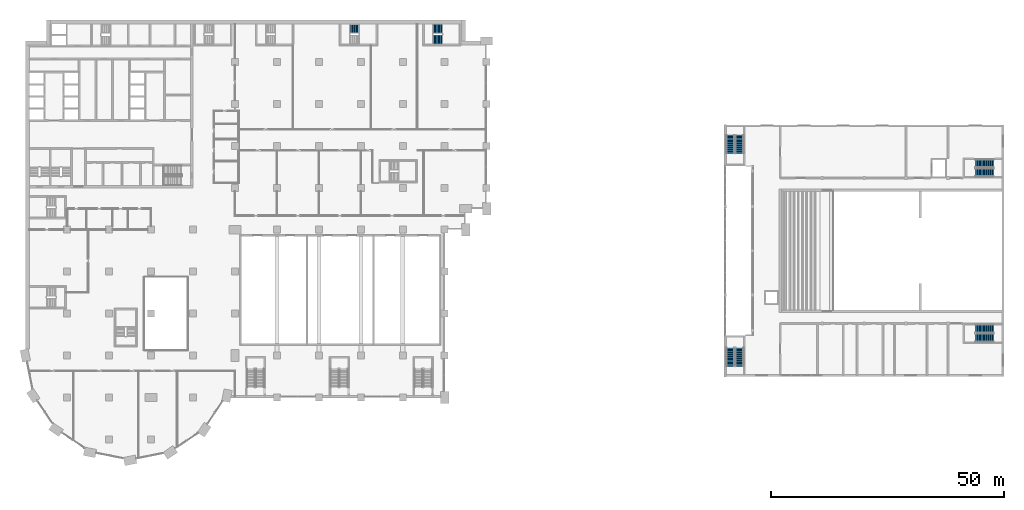
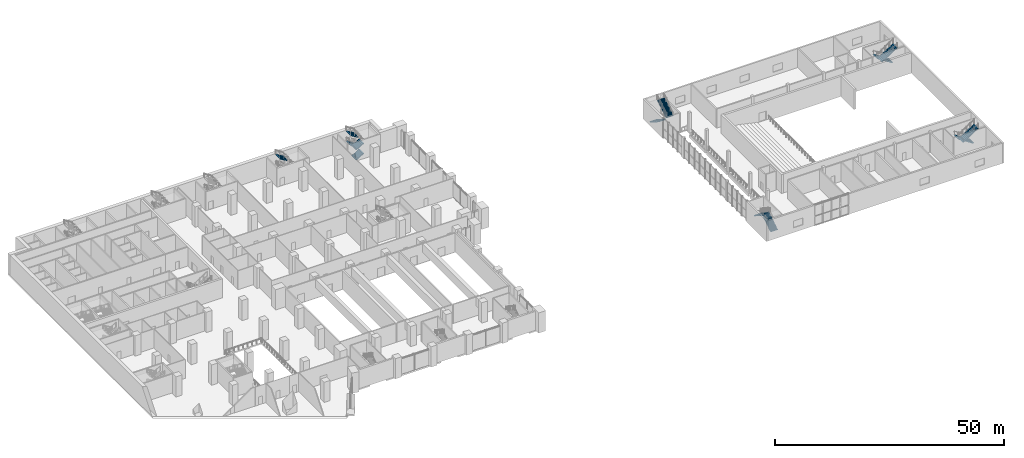
# One storey, part 29 of 43: 13 stair flights, 6 elements without a shape of their own.
"""IFC4 building model written with IfcOpenShell, lengths in metres."""

import ifcopenshell
import ifcopenshell.guid

model = None  # the IFC model being written
_history = None  # IfcOwnerHistory: only IFC2X3 demands one
_inside = {}  # id of a spatial element -> (the spatial element, [elements in it])
_under = {}  # id of a project, library or spatial element -> (it, [spatial elements below it])
_declared = {}  # id of a project -> (the project, [libraries it declares])
_typed = {}  # id of a type object -> (the type object, [elements of that type])
_made_of = {}  # id of a material, layer set ... -> (it, [elements and type objects made of it])


def new_model(schema):
    """Start an empty IFC model of exactly this schema.

    Asked for "IFC4X3", IfcOpenShell would pick the latest addendum, in which some entities
    have other attributes; the version numbers below select the first issue.
    IFC2X3 requires an IfcOwnerHistory on every rooted entity: one is made here for all.
    """
    global model, _history
    if schema == "IFC4X3":
        model = ifcopenshell.file(schema_version=(4, 3, 0, 0))
    else:
        model = ifcopenshell.file(schema=schema)
    _inside.clear()
    _under.clear()
    _declared.clear()
    _typed.clear()
    _made_of.clear()
    _history = None
    if model.schema == "IFC2X3":
        org = make("IfcOrganization", Name="unknown")
        user = make(
            "IfcPersonAndOrganization",
            ThePerson=make("IfcPerson", FamilyName="unknown"),
            TheOrganization=org,
        )
        app = make(
            "IfcApplication",
            ApplicationDeveloper=org,
            Version="unknown",
            ApplicationFullName="unknown",
            ApplicationIdentifier="unknown",
        )
        _history = make(
            "IfcOwnerHistory",
            OwningUser=user,
            OwningApplication=app,
            ChangeAction="ADDED",
            CreationDate=0,
        )
    return model


def make(cls, **values):
    """One entity of the class cls with the attributes given. An attribute that is None is left unset."""
    return model.create_entity(
        cls, **{name: value for name, value in values.items() if value is not None}
    )


def rooted(cls, **values):
    """An entity with a GlobalId (a new one), such as an element, a storey or a relation."""
    return make(cls, GlobalId=ifcopenshell.guid.new(), OwnerHistory=_history, **values)


def si_unit(unit_type, name, prefix=None):
    """IfcSIUnit, for example si_unit("LENGTHUNIT", "METRE", prefix="MILLI")."""
    return make("IfcSIUnit", UnitType=unit_type, Prefix=prefix, Name=name)


def assignment(units):
    """IfcUnitAssignment: the units of a project."""
    return None if units is None else make("IfcUnitAssignment", Units=units)


def point(xyz):
    """IfcCartesianPoint."""
    return None if xyz is None else make("IfcCartesianPoint", Coordinates=xyz)


def direction(xyz):
    """IfcDirection."""
    return None if xyz is None else make("IfcDirection", DirectionRatios=xyz)


def frame(location, z_axis=None, x_axis=None):
    """IfcAxis2Placement3D, a coordinate frame: its origin and axes. An axis left out is left unset."""
    return make(
        "IfcAxis2Placement3D",
        Location=point(location),
        Axis=direction(z_axis),
        RefDirection=direction(x_axis),
    )


def origin():
    """The frame at (0, 0, 0) with its axes left unset."""
    return frame((0.0, 0.0, 0.0))


def place(relative_to, where):
    """IfcLocalPlacement: puts the frame where relative to a parent placement (None: the world)."""
    return make(
        "IfcLocalPlacement", PlacementRelTo=relative_to, RelativePlacement=where
    )


def context(
    kind, dimensions, precision=None, world=None, true_north=None, identifier=None
):
    """IfcGeometricRepresentationContext, for example the 3D "Model" context."""
    return make(
        "IfcGeometricRepresentationContext",
        ContextIdentifier=identifier,
        ContextType=kind,
        CoordinateSpaceDimension=dimensions,
        Precision=precision,
        WorldCoordinateSystem=world,
        TrueNorth=true_north,
    )


def subcontext(parent, identifier, kind, view, scale=None):
    """IfcGeometricRepresentationSubContext, for example "Body" below "Model"."""
    return make(
        "IfcGeometricRepresentationSubContext",
        ContextIdentifier=identifier,
        ContextType=kind,
        ParentContext=parent,
        TargetScale=scale,
        TargetView=view,
    )


def project(units=None, contexts=None):
    """IfcProject with its units and contexts."""
    return rooted(
        "IfcProject",
        Name="project",
        RepresentationContexts=contexts,
        UnitsInContext=assignment(units),
    )


def spatial(cls, under=None, at=None, **own):
    """A site, building, storey or space (cls), placed at a placement, below another one or the project."""
    s = rooted(cls, ObjectPlacement=at, **own)
    if under is not None:
        _under.setdefault(under.id(), (under, []))[1].append(s)
    return s


def polyline(points):
    """IfcPolyline through the points."""
    return make("IfcPolyline", Points=[point(p) for p in points])


def outline(outer, holes=None, kind="AREA"):
    """IfcArbitraryClosedProfileDef: a profile drawn as a closed curve; with holes, ...WithVoids."""
    if holes is None:
        return make("IfcArbitraryClosedProfileDef", ProfileType=kind, OuterCurve=outer)
    return make(
        "IfcArbitraryProfileDefWithVoids",
        ProfileType=kind,
        OuterCurve=outer,
        InnerCurves=holes,
    )


def extrude(swept, where, along, depth):
    """IfcExtrudedAreaSolid: the profile swept, set in the frame where, extruded along a direction by depth."""
    return make(
        "IfcExtrudedAreaSolid",
        SweptArea=swept,
        Position=where,
        ExtrudedDirection=direction(along),
        Depth=depth,
    )


def shape(context_of_items, identifier, shape_type, items):
    """IfcShapeRepresentation: the items that make up one representation, for example the "Body"."""
    return make(
        "IfcShapeRepresentation",
        ContextOfItems=context_of_items,
        RepresentationIdentifier=identifier,
        RepresentationType=shape_type,
        Items=items,
    )


def material(Name=None, Category=None):
    """IfcMaterial."""
    return make("IfcMaterial", Name=Name, Category=Category)


def made_of(thing, what):
    """Note that an element or type object is made of a material, layer set ...; save() writes the relation."""
    if what is not None:
        _made_of.setdefault(what.id(), (what, []))[1].append(thing)
    return thing


def type_object(cls, material=None, **own):
    """A type object (cls), such as IfcWallType, which elements share."""
    return made_of(rooted(cls, **own), material)


def element(
    cls,
    number,
    at=None,
    inside=None,
    cuts=None,
    type_object=None,
    material=None,
    context=None,
    identifier="Body",
    shape_type=None,
    held_by="IfcProductDefinitionShape",
    body=None,
    shapes=None,
    **own,
):
    """One element of the class cls, such as IfcWall. Its Tag is "e" and its number.

    at: its placement. inside: the storey or other place that contains it. cuts: it is an
    opening in that element (IfcRelVoidsElement). A single representation is given by context,
    identifier, shape_type and body (its items); several are given by shapes. held_by: the class
    of the entity that holds the representations. save() writes the other relations.
    """
    e = rooted(cls, Tag="e%d" % number, ObjectPlacement=at, **own)
    if body is not None:
        shapes = [shape(context, identifier, shape_type, body)]
    if shapes is not None:
        e.Representation = make(held_by, Representations=shapes)
    if inside is not None:
        _inside.setdefault(inside.id(), (inside, []))[1].append(e)
    if cuts is not None:
        rooted(
            "IfcRelVoidsElement", RelatingBuildingElement=cuts, RelatedOpeningElement=e
        )
    if type_object is not None:
        _typed.setdefault(type_object.id(), (type_object, []))[1].append(e)
    return made_of(e, material)


def aggregate(whole, parts):
    """IfcRelAggregates: a whole, such as a stair, and the parts it consists of."""
    return rooted("IfcRelAggregates", RelatingObject=whole, RelatedObjects=parts)


def save(model, path):
    """Write the relations noted so far, then the file.

    IfcRelAggregates (storeys below a building ...), IfcRelContainedInSpatialStructure (elements
    in a storey), IfcRelDefinesByType, IfcRelAssociatesMaterial and IfcRelDeclares: one each for
    every whole, place, type object, material and project.
    """
    for whole, parts in _under.values():
        aggregate(whole, parts)
    for where, things in _inside.values():
        rooted(
            "IfcRelContainedInSpatialStructure",
            RelatedElements=things,
            RelatingStructure=where,
        )
    for kind, things in _typed.values():
        rooted("IfcRelDefinesByType", RelatedObjects=things, RelatingType=kind)
    for what, things in _made_of.values():
        rooted("IfcRelAssociatesMaterial", RelatedObjects=things, RelatingMaterial=what)
    for by, libraries in _declared.values():
        rooted("IfcRelDeclares", RelatingContext=by, RelatedDefinitions=libraries)
    model.write(path)


model = new_model("IFC4")

# Units and contexts
model_context = context("Model", 3, precision=1e-05, world=origin(), true_north=direction((0.0, 1.0)))
body_context = subcontext(model_context, "Body", "Model", "MODEL_VIEW")
ifc_project = project(units=[si_unit("LENGTHUNIT", "METRE"), si_unit("AREAUNIT", "SQUARE_METRE"), si_unit("VOLUMEUNIT", "CUBIC_METRE"), si_unit("PLANEANGLEUNIT", "RADIAN"), si_unit("MASSUNIT", "GRAM", prefix="KILO")], contexts=[model_context])

# Site, building, storey
site_placement = place(None, origin())
site = spatial("IfcSite", under=ifc_project, at=site_placement, CompositionType="ELEMENT")
building_placement = place(site_placement, origin())
building = spatial("IfcBuilding", under=site, at=building_placement, Name="Hunhe Ridgeline Campus", CompositionType="ELEMENT")
storey_placement = place(building_placement, frame((0.0, 0.0, 11.39990234375)))
storey = spatial("IfcBuildingStorey", under=building, at=storey_placement, Name="L02", CompositionType="ELEMENT", Elevation=11.39990234375)

# Stair, stair flights
ifc_material = material(Name="Concrete C40", Category="concrete")
stair_type_1 = type_object("IfcStairType", Name="Hall exit stair 1800", PredefinedType="HALF_TURN_STAIR", material=ifc_material)
stair_1_placement = place(storey_placement, origin())
stair_1 = element("IfcStair", 1, at=stair_1_placement, inside=storey, type_object=stair_type_1, Name="L02 hall stair HS1", PredefinedType="HALF_TURN_STAIR")
stair_flight_type_1 = type_object("IfcStairFlightType", Name="Hall stair flight 1800", PredefinedType="STRAIGHT", material=ifc_material)
stair_flight_1_placement = place(storey_placement, frame((153.25, 24.699951171875, 0.0), z_axis=(0.0, 0.0, 1.0), x_axis=(0.0, 1.0, 0.0)))
stair_flight_1 = element("IfcStairFlight", 2, at=stair_flight_1_placement, type_object=stair_flight_type_1, Name="HS1 flight 1", NumberOfRisers=15, NumberOfTreads=14, PredefinedType="STRAIGHT", RiserHeight=0.18, TreadLength=0.28, context=body_context, shape_type="SweptSolid", body=[
    extrude(outline(polyline([(0.0, 0.0), (0.0, 0.179931640625), (0.280029296875, 0.179931640625), (0.280029296875, 0.360107421875), (0.56005859375, 0.360107421875), (0.56005859375, 0.5400390625), (0.840087890625, 0.5400390625), (0.840087890625, 0.719970703125), (1.1201171875, 0.719970703125), (1.1201171875, 0.89990234375), (1.39990234375, 0.89990234375), (1.39990234375, 1.080078125), (1.679931640625, 1.080078125), (1.679931640625, 1.260009765625), (1.9599609375, 1.260009765625), (1.9599609375, 1.43994140625), (2.239990234375, 1.43994140625), (2.239990234375, 1.6201171875), (2.52001953125, 1.6201171875), (2.52001953125, 1.800048828125), (2.800048828125, 1.800048828125), (2.800048828125, 1.97998046875), (3.080078125, 1.97998046875), (3.080078125, 2.159912109375), (3.360107421875, 2.159912109375), (3.360107421875, 2.340087890625), (3.639892578125, 2.340087890625), (3.639892578125, 2.52001953125), (3.919921875, 2.52001953125), (3.919921875, 2.699951171875), (3.919921875, 2.341796875), (0.277099609375, 0.0), (0.0, 0.0)])), frame((0.0, 0.89990234375, 0.0), z_axis=(0.0, -1.0, 0.0), x_axis=(1.0, 0.0, 0.0)), (0.0, 0.0, 1.0), 1.800048828125),
])
stair_flight_2_placement = place(storey_placement, frame((151.300048828125, 28.6201171875, 2.7001953125), z_axis=(0.0, 0.0, 1.0), x_axis=(0.0, -1.0, 0.0)))
stair_flight_2 = element("IfcStairFlight", 3, at=stair_flight_2_placement, type_object=stair_flight_type_1, Name="HS1 flight 2", NumberOfRisers=15, NumberOfTreads=14, PredefinedType="STRAIGHT", RiserHeight=0.18, TreadLength=0.28, context=body_context, shape_type="SweptSolid", body=[
    extrude(outline(polyline([(0.0, 0.0), (0.0, 0.179931640625), (0.280029296875, 0.179931640625), (0.280029296875, 0.360107421875), (0.56005859375, 0.360107421875), (0.56005859375, 0.5400390625), (0.840087890625, 0.5400390625), (0.840087890625, 0.719970703125), (1.1201171875, 0.719970703125), (1.1201171875, 0.89990234375), (1.39990234375, 0.89990234375), (1.39990234375, 1.080078125), (1.679931640625, 1.080078125), (1.679931640625, 1.260009765625), (1.9599609375, 1.260009765625), (1.9599609375, 1.43994140625), (2.239990234375, 1.43994140625), (2.239990234375, 1.6201171875), (2.52001953125, 1.6201171875), (2.52001953125, 1.800048828125), (2.800048828125, 1.800048828125), (2.800048828125, 1.97998046875), (3.080078125, 1.97998046875), (3.080078125, 2.159912109375), (3.360107421875, 2.159912109375), (3.360107421875, 2.340087890625), (3.639892578125, 2.340087890625), (3.639892578125, 2.52001953125), (3.919921875, 2.52001953125), (3.919921875, 2.699951171875), (3.919921875, 2.341796875), (0.277099609375, 0.0), (0.0, 0.0)])), frame((0.0, 0.89990234375, 0.0), z_axis=(0.0, -1.0, 0.0), x_axis=(1.0, 0.0, 0.0)), (0.0, 0.0, 1.0), 1.800048828125),
])
aggregate(stair_1, [stair_flight_1, stair_flight_2])

stair_2_placement = place(storey_placement, origin())
stair_2 = element("IfcStair", 4, at=stair_2_placement, inside=storey, type_object=stair_type_1, Name="L02 hall stair HS2", PredefinedType="HALF_TURN_STAIR")
stair_flight_3_placement = place(storey_placement, frame((151.300048828125, 74.300048828125, 0.0), z_axis=(0.0, 0.0, 1.0), x_axis=(0.0, -1.0, 0.0)))
stair_flight_3 = element("IfcStairFlight", 5, at=stair_flight_3_placement, type_object=stair_flight_type_1, Name="HS2 flight 1", NumberOfRisers=15, NumberOfTreads=14, PredefinedType="STRAIGHT", RiserHeight=0.18, TreadLength=0.28, context=body_context, shape_type="SweptSolid", body=[
    extrude(outline(polyline([(0.0, 0.0), (0.0, 0.179931640625), (0.280029296875, 0.179931640625), (0.280029296875, 0.360107421875), (0.56005859375, 0.360107421875), (0.56005859375, 0.5400390625), (0.840087890625, 0.5400390625), (0.840087890625, 0.719970703125), (1.1201171875, 0.719970703125), (1.1201171875, 0.89990234375), (1.39990234375, 0.89990234375), (1.39990234375, 1.080078125), (1.679931640625, 1.080078125), (1.679931640625, 1.260009765625), (1.9599609375, 1.260009765625), (1.9599609375, 1.43994140625), (2.239990234375, 1.43994140625), (2.239990234375, 1.6201171875), (2.52001953125, 1.6201171875), (2.52001953125, 1.800048828125), (2.800048828125, 1.800048828125), (2.800048828125, 1.97998046875), (3.080078125, 1.97998046875), (3.080078125, 2.159912109375), (3.360107421875, 2.159912109375), (3.360107421875, 2.340087890625), (3.639892578125, 2.340087890625), (3.639892578125, 2.52001953125), (3.919921875, 2.52001953125), (3.919921875, 2.699951171875), (3.919921875, 2.341796875), (0.277099609375, 0.0), (0.0, 0.0)])), frame((0.0, 0.89990234375, 0.0), z_axis=(0.0, -1.0, 0.0), x_axis=(1.0, 0.0, 0.0)), (0.0, 0.0, 1.0), 1.800048828125),
])
stair_flight_4_placement = place(storey_placement, frame((153.25, 70.3798828125, 2.7001953125), z_axis=(0.0, 0.0, 1.0), x_axis=(0.0, 1.0, 0.0)))
stair_flight_4 = element("IfcStairFlight", 6, at=stair_flight_4_placement, type_object=stair_flight_type_1, Name="HS2 flight 2", NumberOfRisers=15, NumberOfTreads=14, PredefinedType="STRAIGHT", RiserHeight=0.18, TreadLength=0.28, context=body_context, shape_type="SweptSolid", body=[
    extrude(outline(polyline([(0.0, 0.0), (0.0, 0.179931640625), (0.280029296875, 0.179931640625), (0.280029296875, 0.360107421875), (0.56005859375, 0.360107421875), (0.56005859375, 0.5400390625), (0.840087890625, 0.5400390625), (0.840087890625, 0.719970703125), (1.1201171875, 0.719970703125), (1.1201171875, 0.89990234375), (1.39990234375, 0.89990234375), (1.39990234375, 1.080078125), (1.679931640625, 1.080078125), (1.679931640625, 1.260009765625), (1.9599609375, 1.260009765625), (1.9599609375, 1.43994140625), (2.239990234375, 1.43994140625), (2.239990234375, 1.6201171875), (2.52001953125, 1.6201171875), (2.52001953125, 1.800048828125), (2.800048828125, 1.800048828125), (2.800048828125, 1.97998046875), (3.080078125, 1.97998046875), (3.080078125, 2.159912109375), (3.360107421875, 2.159912109375), (3.360107421875, 2.340087890625), (3.639892578125, 2.340087890625), (3.639892578125, 2.52001953125), (3.919921875, 2.52001953125), (3.919921875, 2.699951171875), (3.919921875, 2.341796875), (0.277099609375, 0.0), (0.0, 0.0)])), frame((0.0, 0.89990234375, 0.0), z_axis=(0.0, -1.0, 0.0), x_axis=(1.0, 0.0, 0.0)), (0.0, 0.0, 1.0), 1.800048828125),
])
aggregate(stair_2, [stair_flight_3, stair_flight_4])

stair_3_placement = place(storey_placement, origin())
stair_3 = element("IfcStair", 7, at=stair_3_placement, inside=storey, type_object=stair_type_1, Name="L02 hall stair HS3", PredefinedType="HALF_TURN_STAIR")
stair_flight_5_placement = place(storey_placement, frame((207.800048828125, 32.75, 0.0), z_axis=(0.0, 0.0, 1.0), x_axis=(-1.0, 0.0, 0.0)))
stair_flight_5 = element("IfcStairFlight", 8, at=stair_flight_5_placement, type_object=stair_flight_type_1, Name="HS3 flight 1", NumberOfRisers=15, NumberOfTreads=14, PredefinedType="STRAIGHT", RiserHeight=0.18, TreadLength=0.28, context=body_context, shape_type="SweptSolid", body=[
    extrude(outline(polyline([(0.0, 0.0), (0.0, 0.179931640625), (0.280029296875, 0.179931640625), (0.280029296875, 0.360107421875), (0.56005859375, 0.360107421875), (0.56005859375, 0.5400390625), (0.840087890625, 0.5400390625), (0.840087890625, 0.719970703125), (1.1201171875, 0.719970703125), (1.1201171875, 0.89990234375), (1.39990234375, 0.89990234375), (1.39990234375, 1.080078125), (1.679931640625, 1.080078125), (1.679931640625, 1.260009765625), (1.9599609375, 1.260009765625), (1.9599609375, 1.43994140625), (2.239990234375, 1.43994140625), (2.239990234375, 1.6201171875), (2.52001953125, 1.6201171875), (2.52001953125, 1.800048828125), (2.800048828125, 1.800048828125), (2.800048828125, 1.97998046875), (3.080078125, 1.97998046875), (3.080078125, 2.159912109375), (3.360107421875, 2.159912109375), (3.360107421875, 2.340087890625), (3.639892578125, 2.340087890625), (3.639892578125, 2.52001953125), (3.919921875, 2.52001953125), (3.919921875, 2.699951171875), (3.919921875, 2.341796875), (0.277099609375, 0.0), (0.0, 0.0)])), frame((0.0, 0.89990234375, 0.0), z_axis=(0.0, -1.0, 0.0), x_axis=(1.0, 0.0, 0.0)), (0.0, 0.0, 1.0), 1.800048828125),
])
stair_flight_6_placement = place(storey_placement, frame((203.8798828125, 30.800048828125, 2.7001953125), z_axis=(0.0, 0.0, 1.0), x_axis=(1.0, 0.0, 0.0)))
stair_flight_6 = element("IfcStairFlight", 9, at=stair_flight_6_placement, type_object=stair_flight_type_1, Name="HS3 flight 2", NumberOfRisers=15, NumberOfTreads=14, PredefinedType="STRAIGHT", RiserHeight=0.18, TreadLength=0.28, context=body_context, shape_type="SweptSolid", body=[
    extrude(outline(polyline([(0.0, 0.0), (0.0, 0.179931640625), (0.280029296875, 0.179931640625), (0.280029296875, 0.360107421875), (0.56005859375, 0.360107421875), (0.56005859375, 0.5400390625), (0.840087890625, 0.5400390625), (0.840087890625, 0.719970703125), (1.1201171875, 0.719970703125), (1.1201171875, 0.89990234375), (1.39990234375, 0.89990234375), (1.39990234375, 1.080078125), (1.679931640625, 1.080078125), (1.679931640625, 1.260009765625), (1.9599609375, 1.260009765625), (1.9599609375, 1.43994140625), (2.239990234375, 1.43994140625), (2.239990234375, 1.6201171875), (2.52001953125, 1.6201171875), (2.52001953125, 1.800048828125), (2.800048828125, 1.800048828125), (2.800048828125, 1.97998046875), (3.080078125, 1.97998046875), (3.080078125, 2.159912109375), (3.360107421875, 2.159912109375), (3.360107421875, 2.340087890625), (3.639892578125, 2.340087890625), (3.639892578125, 2.52001953125), (3.919921875, 2.52001953125), (3.919921875, 2.699951171875), (3.919921875, 2.341796875), (0.277099609375, 0.0), (0.0, 0.0)])), frame((0.0, 0.89990234375, 0.0), z_axis=(0.0, -1.0, 0.0), x_axis=(1.0, 0.0, 0.0)), (0.0, 0.0, 1.0), 1.800048828125),
])
aggregate(stair_3, [stair_flight_5, stair_flight_6])

stair_4_placement = place(storey_placement, origin())
stair_4 = element("IfcStair", 10, at=stair_4_placement, inside=storey, type_object=stair_type_1, Name="L02 hall stair HS4", PredefinedType="HALF_TURN_STAIR")
stair_flight_7_placement = place(storey_placement, frame((207.800048828125, 68.199951171875, 0.0), z_axis=(0.0, 0.0, 1.0), x_axis=(-1.0, 0.0, 0.0)))
stair_flight_7 = element("IfcStairFlight", 11, at=stair_flight_7_placement, type_object=stair_flight_type_1, Name="HS4 flight 1", NumberOfRisers=15, NumberOfTreads=14, PredefinedType="STRAIGHT", RiserHeight=0.18, TreadLength=0.28, context=body_context, shape_type="SweptSolid", body=[
    extrude(outline(polyline([(0.0, 0.0), (0.0, 0.179931640625), (0.280029296875, 0.179931640625), (0.280029296875, 0.360107421875), (0.56005859375, 0.360107421875), (0.56005859375, 0.5400390625), (0.840087890625, 0.5400390625), (0.840087890625, 0.719970703125), (1.1201171875, 0.719970703125), (1.1201171875, 0.89990234375), (1.39990234375, 0.89990234375), (1.39990234375, 1.080078125), (1.679931640625, 1.080078125), (1.679931640625, 1.260009765625), (1.9599609375, 1.260009765625), (1.9599609375, 1.43994140625), (2.239990234375, 1.43994140625), (2.239990234375, 1.6201171875), (2.52001953125, 1.6201171875), (2.52001953125, 1.800048828125), (2.800048828125, 1.800048828125), (2.800048828125, 1.97998046875), (3.080078125, 1.97998046875), (3.080078125, 2.159912109375), (3.360107421875, 2.159912109375), (3.360107421875, 2.340087890625), (3.639892578125, 2.340087890625), (3.639892578125, 2.52001953125), (3.919921875, 2.52001953125), (3.919921875, 2.699951171875), (3.919921875, 2.341796875), (0.277099609375, 0.0), (0.0, 0.0)])), frame((0.0, 0.89990234375, 0.0), z_axis=(0.0, -1.0, 0.0), x_axis=(1.0, 0.0, 0.0)), (0.0, 0.0, 1.0), 1.800048828125),
])
stair_flight_8_placement = place(storey_placement, frame((203.8798828125, 66.25, 2.7001953125), z_axis=(0.0, 0.0, 1.0), x_axis=(1.0, 0.0, 0.0)))
stair_flight_8 = element("IfcStairFlight", 12, at=stair_flight_8_placement, type_object=stair_flight_type_1, Name="HS4 flight 2", NumberOfRisers=15, NumberOfTreads=14, PredefinedType="STRAIGHT", RiserHeight=0.18, TreadLength=0.28, context=body_context, shape_type="SweptSolid", body=[
    extrude(outline(polyline([(0.0, 0.0), (0.0, 0.179931640625), (0.280029296875, 0.179931640625), (0.280029296875, 0.360107421875), (0.56005859375, 0.360107421875), (0.56005859375, 0.5400390625), (0.840087890625, 0.5400390625), (0.840087890625, 0.719970703125), (1.1201171875, 0.719970703125), (1.1201171875, 0.89990234375), (1.39990234375, 0.89990234375), (1.39990234375, 1.080078125), (1.679931640625, 1.080078125), (1.679931640625, 1.260009765625), (1.9599609375, 1.260009765625), (1.9599609375, 1.43994140625), (2.239990234375, 1.43994140625), (2.239990234375, 1.6201171875), (2.52001953125, 1.6201171875), (2.52001953125, 1.800048828125), (2.800048828125, 1.800048828125), (2.800048828125, 1.97998046875), (3.080078125, 1.97998046875), (3.080078125, 2.159912109375), (3.360107421875, 2.159912109375), (3.360107421875, 2.340087890625), (3.639892578125, 2.340087890625), (3.639892578125, 2.52001953125), (3.919921875, 2.52001953125), (3.919921875, 2.699951171875), (3.919921875, 2.341796875), (0.277099609375, 0.0), (0.0, 0.0)])), frame((0.0, 0.89990234375, 0.0), z_axis=(0.0, -1.0, 0.0), x_axis=(1.0, 0.0, 0.0)), (0.0, 0.0, 1.0), 1.800048828125),
])
aggregate(stair_4, [stair_flight_7, stair_flight_8])

# Stair, stair flight
stair_type_2 = type_object("IfcStairType", Name="Reinforced concrete dog-leg stair 1950 Concrete C40", PredefinedType="HALF_TURN_STAIR", material=ifc_material)
stair_5_placement = place(storey_placement, origin())
stair_5 = element("IfcStair", 13, at=stair_5_placement, inside=storey, type_object=stair_type_2, Name="L02 E3", PredefinedType="HALF_TURN_STAIR")
stair_flight_type_2 = type_object("IfcStairFlightType", Name="Reinforced concrete stair flight 1950 Concrete C40", PredefinedType="STRAIGHT", material=ifc_material)
stair_flight_9_placement = place(storey_placement, frame((71.610107421875, 97.125, 4.050048828125), z_axis=(0.0, 0.0, 1.0), x_axis=(-1.0, 0.0, 0.0)))
stair_flight_9 = element("IfcStairFlight", 14, at=stair_flight_9_placement, type_object=stair_flight_type_2, Name="ST7 flight 4", NumberOfRisers=8, NumberOfTreads=7, PredefinedType="STRAIGHT", RiserHeight=0.16875, TreadLength=0.28, context=body_context, shape_type="SweptSolid", body=[
    extrude(outline(polyline([(0.0, 0.0), (0.0, 0.168701171875), (0.280029296875, 0.168701171875), (0.280029296875, 0.33740234375), (0.56005859375, 0.33740234375), (0.56005859375, 0.50634765625), (0.840087890625, 0.50634765625), (0.840087890625, 0.675048828125), (1.1201171875, 0.675048828125), (1.1201171875, 0.84375), (1.39990234375, 0.84375), (1.39990234375, 1.012451171875), (1.679931640625, 1.012451171875), (1.679931640625, 1.18115234375), (1.9599609375, 1.18115234375), (1.9599609375, 1.35009765625), (1.9599609375, 1.00634765625), (0.29052734375, 0.0), (0.0, 0.0)])), frame((0.0, 0.97509765625, 0.0), z_axis=(0.0, -1.0, 0.0), x_axis=(1.0, 0.0, 0.0)), (0.0, 0.0, 1.0), 1.949951171875),
    extrude(outline(polyline([(0.030029296875, 0.030029296875), (0.030029296875, 0.138916015625), (0.31005859375, 0.138916015625), (0.31005859375, 0.3076171875), (0.590087890625, 0.3076171875), (0.590087890625, 0.476318359375), (0.8701171875, 0.476318359375), (0.8701171875, 0.64501953125), (1.14990234375, 0.64501953125), (1.14990234375, 0.813720703125), (1.429931640625, 0.813720703125), (1.429931640625, 0.982421875), (1.7099609375, 0.982421875), (1.7099609375, 1.1513671875), (1.929931640625, 1.1513671875), (1.929931640625, 1.023193359375), (0.281982421875, 0.030029296875), (0.030029296875, 0.030029296875)])), frame((0.0, -0.070068359375, 0.0), z_axis=(0.0, -1.0, 0.0), x_axis=(1.0, 0.0, 0.0)), (0.0, 0.0, 1.0), 0.019775390625),
    extrude(outline(polyline([(0.030029296875, 0.030029296875), (0.030029296875, 0.138916015625), (0.31005859375, 0.138916015625), (0.31005859375, 0.3076171875), (0.590087890625, 0.3076171875), (0.590087890625, 0.476318359375), (0.8701171875, 0.476318359375), (0.8701171875, 0.64501953125), (1.14990234375, 0.64501953125), (1.14990234375, 0.813720703125), (1.429931640625, 0.813720703125), (1.429931640625, 0.982421875), (1.7099609375, 0.982421875), (1.7099609375, 1.1513671875), (1.929931640625, 1.1513671875), (1.929931640625, 1.023193359375), (0.281982421875, 0.030029296875), (0.030029296875, 0.030029296875)])), frame((0.0, 0.010009765625, 0.0), z_axis=(0.0, -1.0, 0.0), x_axis=(1.0, 0.0, 0.0)), (0.0, 0.0, 1.0), 0.019775390625),
    extrude(outline(polyline([(0.030029296875, 0.030029296875), (0.030029296875, 0.138916015625), (0.31005859375, 0.138916015625), (0.31005859375, 0.3076171875), (0.590087890625, 0.3076171875), (0.590087890625, 0.476318359375), (0.8701171875, 0.476318359375), (0.8701171875, 0.64501953125), (1.14990234375, 0.64501953125), (1.14990234375, 0.813720703125), (1.429931640625, 0.813720703125), (1.429931640625, 0.982421875), (1.7099609375, 0.982421875), (1.7099609375, 1.1513671875), (1.929931640625, 1.1513671875), (1.929931640625, 1.023193359375), (0.281982421875, 0.030029296875), (0.030029296875, 0.030029296875)])), frame((0.0, 0.090087890625, 0.0), z_axis=(0.0, -1.0, 0.0), x_axis=(1.0, 0.0, 0.0)), (0.0, 0.0, 1.0), 0.019775390625),
])
aggregate(stair_5, [stair_flight_9])

# Stair, stair flights
stair_6_placement = place(storey_placement, origin())
stair_6 = element("IfcStair", 15, at=stair_6_placement, inside=storey, type_object=stair_type_2, Name="L02 E4", PredefinedType="HALF_TURN_STAIR")
stair_flight_10_placement = place(storey_placement, frame((87.5, 94.77490234375, 0.0), z_axis=(0.0, 0.0, 1.0), x_axis=(1.0, 0.0, 0.0)))
stair_flight_10 = element("IfcStairFlight", 16, at=stair_flight_10_placement, type_object=stair_flight_type_2, Name="ST8 flight 1", NumberOfRisers=8, NumberOfTreads=7, PredefinedType="STRAIGHT", RiserHeight=0.16875, TreadLength=0.28, context=body_context, shape_type="SweptSolid", body=[
    extrude(outline(polyline([(0.0, 0.0), (0.0, 0.168701171875), (0.280029296875, 0.168701171875), (0.280029296875, 0.33740234375), (0.56005859375, 0.33740234375), (0.56005859375, 0.50634765625), (0.840087890625, 0.50634765625), (0.840087890625, 0.675048828125), (1.1201171875, 0.675048828125), (1.1201171875, 0.84375), (1.39990234375, 0.84375), (1.39990234375, 1.012451171875), (1.679931640625, 1.012451171875), (1.679931640625, 1.18115234375), (1.9599609375, 1.18115234375), (1.9599609375, 1.35009765625), (1.9599609375, 1.00634765625), (0.29052734375, 0.0), (0.0, 0.0)])), frame((0.0, 0.97509765625, 0.0), z_axis=(0.0, -1.0, 0.0), x_axis=(1.0, 0.0, 0.0)), (0.0, 0.0, 1.0), 1.949951171875),
    extrude(outline(polyline([(0.030029296875, 0.030029296875), (0.030029296875, 0.138916015625), (0.31005859375, 0.138916015625), (0.31005859375, 0.3076171875), (0.590087890625, 0.3076171875), (0.590087890625, 0.476318359375), (0.8701171875, 0.476318359375), (0.8701171875, 0.64501953125), (1.14990234375, 0.64501953125), (1.14990234375, 0.813720703125), (1.429931640625, 0.813720703125), (1.429931640625, 0.982421875), (1.7099609375, 0.982421875), (1.7099609375, 1.1513671875), (1.929931640625, 1.1513671875), (1.929931640625, 1.023193359375), (0.281982421875, 0.030029296875), (0.030029296875, 0.030029296875)])), frame((0.0, -0.070068359375, 0.0), z_axis=(0.0, -1.0, 0.0), x_axis=(1.0, 0.0, 0.0)), (0.0, 0.0, 1.0), 0.019775390625),
    extrude(outline(polyline([(0.030029296875, 0.030029296875), (0.030029296875, 0.138916015625), (0.31005859375, 0.138916015625), (0.31005859375, 0.3076171875), (0.590087890625, 0.3076171875), (0.590087890625, 0.476318359375), (0.8701171875, 0.476318359375), (0.8701171875, 0.64501953125), (1.14990234375, 0.64501953125), (1.14990234375, 0.813720703125), (1.429931640625, 0.813720703125), (1.429931640625, 0.982421875), (1.7099609375, 0.982421875), (1.7099609375, 1.1513671875), (1.929931640625, 1.1513671875), (1.929931640625, 1.023193359375), (0.281982421875, 0.030029296875), (0.030029296875, 0.030029296875)])), frame((0.0, 0.010009765625, 0.0), z_axis=(0.0, -1.0, 0.0), x_axis=(1.0, 0.0, 0.0)), (0.0, 0.0, 1.0), 0.019775390625),
    extrude(outline(polyline([(0.030029296875, 0.030029296875), (0.030029296875, 0.138916015625), (0.31005859375, 0.138916015625), (0.31005859375, 0.3076171875), (0.590087890625, 0.3076171875), (0.590087890625, 0.476318359375), (0.8701171875, 0.476318359375), (0.8701171875, 0.64501953125), (1.14990234375, 0.64501953125), (1.14990234375, 0.813720703125), (1.429931640625, 0.813720703125), (1.429931640625, 0.982421875), (1.7099609375, 0.982421875), (1.7099609375, 1.1513671875), (1.929931640625, 1.1513671875), (1.929931640625, 1.023193359375), (0.281982421875, 0.030029296875), (0.030029296875, 0.030029296875)])), frame((0.0, 0.090087890625, 0.0), z_axis=(0.0, -1.0, 0.0), x_axis=(1.0, 0.0, 0.0)), (0.0, 0.0, 1.0), 0.019775390625),
])
stair_flight_11_placement = place(storey_placement, frame((89.4599609375, 97.125, 1.35009765625), z_axis=(0.0, 0.0, 1.0), x_axis=(-1.0, 0.0, 0.0)))
stair_flight_11 = element("IfcStairFlight", 17, at=stair_flight_11_placement, type_object=stair_flight_type_2, Name="ST8 flight 2", NumberOfRisers=8, NumberOfTreads=7, PredefinedType="STRAIGHT", RiserHeight=0.16875, TreadLength=0.28, context=body_context, shape_type="SweptSolid", body=[
    extrude(outline(polyline([(0.0, 0.0), (0.0, 0.168701171875), (0.280029296875, 0.168701171875), (0.280029296875, 0.33740234375), (0.56005859375, 0.33740234375), (0.56005859375, 0.50634765625), (0.840087890625, 0.50634765625), (0.840087890625, 0.675048828125), (1.1201171875, 0.675048828125), (1.1201171875, 0.84375), (1.39990234375, 0.84375), (1.39990234375, 1.012451171875), (1.679931640625, 1.012451171875), (1.679931640625, 1.18115234375), (1.9599609375, 1.18115234375), (1.9599609375, 1.35009765625), (1.9599609375, 1.00634765625), (0.29052734375, 0.0), (0.0, 0.0)])), frame((0.0, 0.97509765625, 0.0), z_axis=(0.0, -1.0, 0.0), x_axis=(1.0, 0.0, 0.0)), (0.0, 0.0, 1.0), 1.949951171875),
    extrude(outline(polyline([(0.030029296875, 0.030029296875), (0.030029296875, 0.138916015625), (0.31005859375, 0.138916015625), (0.31005859375, 0.3076171875), (0.590087890625, 0.3076171875), (0.590087890625, 0.476318359375), (0.8701171875, 0.476318359375), (0.8701171875, 0.64501953125), (1.14990234375, 0.64501953125), (1.14990234375, 0.813720703125), (1.429931640625, 0.813720703125), (1.429931640625, 0.982421875), (1.7099609375, 0.982421875), (1.7099609375, 1.1513671875), (1.929931640625, 1.1513671875), (1.929931640625, 1.023193359375), (0.281982421875, 0.030029296875), (0.030029296875, 0.030029296875)])), frame((0.0, -0.070068359375, 0.0), z_axis=(0.0, -1.0, 0.0), x_axis=(1.0, 0.0, 0.0)), (0.0, 0.0, 1.0), 0.019775390625),
    extrude(outline(polyline([(0.030029296875, 0.030029296875), (0.030029296875, 0.138916015625), (0.31005859375, 0.138916015625), (0.31005859375, 0.3076171875), (0.590087890625, 0.3076171875), (0.590087890625, 0.476318359375), (0.8701171875, 0.476318359375), (0.8701171875, 0.64501953125), (1.14990234375, 0.64501953125), (1.14990234375, 0.813720703125), (1.429931640625, 0.813720703125), (1.429931640625, 0.982421875), (1.7099609375, 0.982421875), (1.7099609375, 1.1513671875), (1.929931640625, 1.1513671875), (1.929931640625, 1.023193359375), (0.281982421875, 0.030029296875), (0.030029296875, 0.030029296875)])), frame((0.0, 0.010009765625, 0.0), z_axis=(0.0, -1.0, 0.0), x_axis=(1.0, 0.0, 0.0)), (0.0, 0.0, 1.0), 0.019775390625),
    extrude(outline(polyline([(0.030029296875, 0.030029296875), (0.030029296875, 0.138916015625), (0.31005859375, 0.138916015625), (0.31005859375, 0.3076171875), (0.590087890625, 0.3076171875), (0.590087890625, 0.476318359375), (0.8701171875, 0.476318359375), (0.8701171875, 0.64501953125), (1.14990234375, 0.64501953125), (1.14990234375, 0.813720703125), (1.429931640625, 0.813720703125), (1.429931640625, 0.982421875), (1.7099609375, 0.982421875), (1.7099609375, 1.1513671875), (1.929931640625, 1.1513671875), (1.929931640625, 1.023193359375), (0.281982421875, 0.030029296875), (0.030029296875, 0.030029296875)])), frame((0.0, 0.090087890625, 0.0), z_axis=(0.0, -1.0, 0.0), x_axis=(1.0, 0.0, 0.0)), (0.0, 0.0, 1.0), 0.019775390625),
])
stair_flight_12_placement = place(storey_placement, frame((87.5, 94.77490234375, 2.7001953125), z_axis=(0.0, 0.0, 1.0), x_axis=(1.0, 0.0, 0.0)))
stair_flight_12 = element("IfcStairFlight", 18, at=stair_flight_12_placement, type_object=stair_flight_type_2, Name="ST8 flight 3", NumberOfRisers=8, NumberOfTreads=7, PredefinedType="STRAIGHT", RiserHeight=0.16875, TreadLength=0.28, context=body_context, shape_type="SweptSolid", body=[
    extrude(outline(polyline([(0.0, 0.0), (0.0, 0.168701171875), (0.280029296875, 0.168701171875), (0.280029296875, 0.33740234375), (0.56005859375, 0.33740234375), (0.56005859375, 0.50634765625), (0.840087890625, 0.50634765625), (0.840087890625, 0.675048828125), (1.1201171875, 0.675048828125), (1.1201171875, 0.84375), (1.39990234375, 0.84375), (1.39990234375, 1.012451171875), (1.679931640625, 1.012451171875), (1.679931640625, 1.18115234375), (1.9599609375, 1.18115234375), (1.9599609375, 1.35009765625), (1.9599609375, 1.00634765625), (0.29052734375, 0.0), (0.0, 0.0)])), frame((0.0, 0.97509765625, 0.0), z_axis=(0.0, -1.0, 0.0), x_axis=(1.0, 0.0, 0.0)), (0.0, 0.0, 1.0), 1.949951171875),
    extrude(outline(polyline([(0.030029296875, 0.030029296875), (0.030029296875, 0.138916015625), (0.31005859375, 0.138916015625), (0.31005859375, 0.3076171875), (0.590087890625, 0.3076171875), (0.590087890625, 0.476318359375), (0.8701171875, 0.476318359375), (0.8701171875, 0.64501953125), (1.14990234375, 0.64501953125), (1.14990234375, 0.813720703125), (1.429931640625, 0.813720703125), (1.429931640625, 0.982421875), (1.7099609375, 0.982421875), (1.7099609375, 1.1513671875), (1.929931640625, 1.1513671875), (1.929931640625, 1.023193359375), (0.281982421875, 0.030029296875), (0.030029296875, 0.030029296875)])), frame((0.0, -0.070068359375, 0.0), z_axis=(0.0, -1.0, 0.0), x_axis=(1.0, 0.0, 0.0)), (0.0, 0.0, 1.0), 0.019775390625),
    extrude(outline(polyline([(0.030029296875, 0.030029296875), (0.030029296875, 0.138916015625), (0.31005859375, 0.138916015625), (0.31005859375, 0.3076171875), (0.590087890625, 0.3076171875), (0.590087890625, 0.476318359375), (0.8701171875, 0.476318359375), (0.8701171875, 0.64501953125), (1.14990234375, 0.64501953125), (1.14990234375, 0.813720703125), (1.429931640625, 0.813720703125), (1.429931640625, 0.982421875), (1.7099609375, 0.982421875), (1.7099609375, 1.1513671875), (1.929931640625, 1.1513671875), (1.929931640625, 1.023193359375), (0.281982421875, 0.030029296875), (0.030029296875, 0.030029296875)])), frame((0.0, 0.010009765625, 0.0), z_axis=(0.0, -1.0, 0.0), x_axis=(1.0, 0.0, 0.0)), (0.0, 0.0, 1.0), 0.019775390625),
    extrude(outline(polyline([(0.030029296875, 0.030029296875), (0.030029296875, 0.138916015625), (0.31005859375, 0.138916015625), (0.31005859375, 0.3076171875), (0.590087890625, 0.3076171875), (0.590087890625, 0.476318359375), (0.8701171875, 0.476318359375), (0.8701171875, 0.64501953125), (1.14990234375, 0.64501953125), (1.14990234375, 0.813720703125), (1.429931640625, 0.813720703125), (1.429931640625, 0.982421875), (1.7099609375, 0.982421875), (1.7099609375, 1.1513671875), (1.929931640625, 1.1513671875), (1.929931640625, 1.023193359375), (0.281982421875, 0.030029296875), (0.030029296875, 0.030029296875)])), frame((0.0, 0.090087890625, 0.0), z_axis=(0.0, -1.0, 0.0), x_axis=(1.0, 0.0, 0.0)), (0.0, 0.0, 1.0), 0.019775390625),
])
stair_flight_13_placement = place(storey_placement, frame((89.4599609375, 97.125, 4.050048828125), z_axis=(0.0, 0.0, 1.0), x_axis=(-1.0, 0.0, 0.0)))
stair_flight_13 = element("IfcStairFlight", 19, at=stair_flight_13_placement, type_object=stair_flight_type_2, Name="ST8 flight 4", NumberOfRisers=8, NumberOfTreads=7, PredefinedType="STRAIGHT", RiserHeight=0.16875, TreadLength=0.28, context=body_context, shape_type="SweptSolid", body=[
    extrude(outline(polyline([(0.0, 0.0), (0.0, 0.168701171875), (0.280029296875, 0.168701171875), (0.280029296875, 0.33740234375), (0.56005859375, 0.33740234375), (0.56005859375, 0.50634765625), (0.840087890625, 0.50634765625), (0.840087890625, 0.675048828125), (1.1201171875, 0.675048828125), (1.1201171875, 0.84375), (1.39990234375, 0.84375), (1.39990234375, 1.012451171875), (1.679931640625, 1.012451171875), (1.679931640625, 1.18115234375), (1.9599609375, 1.18115234375), (1.9599609375, 1.35009765625), (1.9599609375, 1.00634765625), (0.29052734375, 0.0), (0.0, 0.0)])), frame((0.0, 0.97509765625, 0.0), z_axis=(0.0, -1.0, 0.0), x_axis=(1.0, 0.0, 0.0)), (0.0, 0.0, 1.0), 1.949951171875),
    extrude(outline(polyline([(0.030029296875, 0.030029296875), (0.030029296875, 0.138916015625), (0.31005859375, 0.138916015625), (0.31005859375, 0.3076171875), (0.590087890625, 0.3076171875), (0.590087890625, 0.476318359375), (0.8701171875, 0.476318359375), (0.8701171875, 0.64501953125), (1.14990234375, 0.64501953125), (1.14990234375, 0.813720703125), (1.429931640625, 0.813720703125), (1.429931640625, 0.982421875), (1.7099609375, 0.982421875), (1.7099609375, 1.1513671875), (1.929931640625, 1.1513671875), (1.929931640625, 1.023193359375), (0.281982421875, 0.030029296875), (0.030029296875, 0.030029296875)])), frame((0.0, -0.070068359375, 0.0), z_axis=(0.0, -1.0, 0.0), x_axis=(1.0, 0.0, 0.0)), (0.0, 0.0, 1.0), 0.019775390625),
    extrude(outline(polyline([(0.030029296875, 0.030029296875), (0.030029296875, 0.138916015625), (0.31005859375, 0.138916015625), (0.31005859375, 0.3076171875), (0.590087890625, 0.3076171875), (0.590087890625, 0.476318359375), (0.8701171875, 0.476318359375), (0.8701171875, 0.64501953125), (1.14990234375, 0.64501953125), (1.14990234375, 0.813720703125), (1.429931640625, 0.813720703125), (1.429931640625, 0.982421875), (1.7099609375, 0.982421875), (1.7099609375, 1.1513671875), (1.929931640625, 1.1513671875), (1.929931640625, 1.023193359375), (0.281982421875, 0.030029296875), (0.030029296875, 0.030029296875)])), frame((0.0, 0.010009765625, 0.0), z_axis=(0.0, -1.0, 0.0), x_axis=(1.0, 0.0, 0.0)), (0.0, 0.0, 1.0), 0.019775390625),
    extrude(outline(polyline([(0.030029296875, 0.030029296875), (0.030029296875, 0.138916015625), (0.31005859375, 0.138916015625), (0.31005859375, 0.3076171875), (0.590087890625, 0.3076171875), (0.590087890625, 0.476318359375), (0.8701171875, 0.476318359375), (0.8701171875, 0.64501953125), (1.14990234375, 0.64501953125), (1.14990234375, 0.813720703125), (1.429931640625, 0.813720703125), (1.429931640625, 0.982421875), (1.7099609375, 0.982421875), (1.7099609375, 1.1513671875), (1.929931640625, 1.1513671875), (1.929931640625, 1.023193359375), (0.281982421875, 0.030029296875), (0.030029296875, 0.030029296875)])), frame((0.0, 0.090087890625, 0.0), z_axis=(0.0, -1.0, 0.0), x_axis=(1.0, 0.0, 0.0)), (0.0, 0.0, 1.0), 0.019775390625),
])
aggregate(stair_6, [stair_flight_10, stair_flight_11, stair_flight_12, stair_flight_13])

save(model, "model.ifc")
